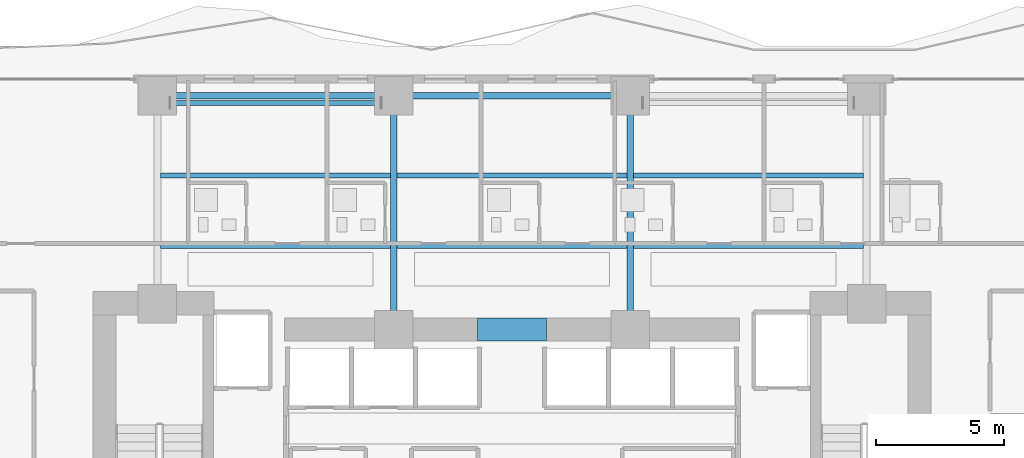
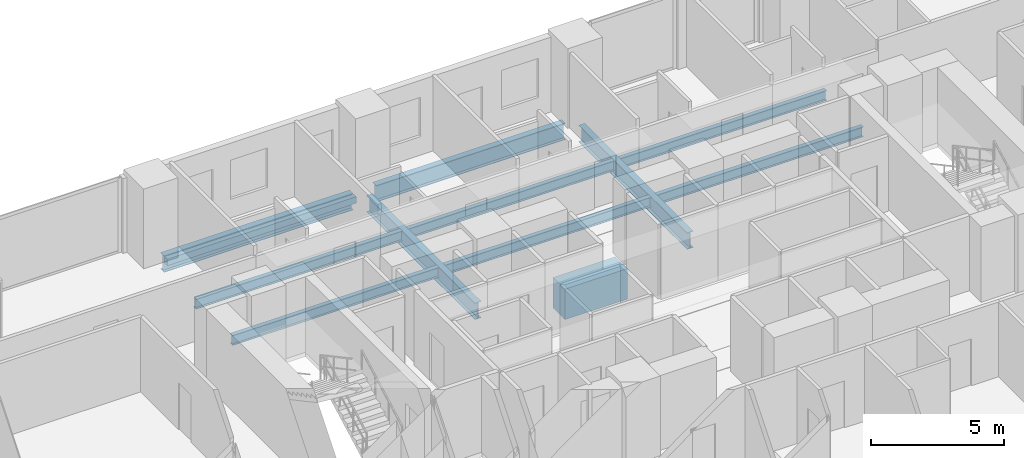
# One storey, part 14 of 30: 12 beams.
"""IFC4 building model written with IfcOpenShell, lengths in metres."""

from ifc_helpers import new_model, si_unit, direction, frame, origin, origin_2d, place, context, subcontext, project, spatial, rectangle, hollow_rectangle, i_section, extrude, material, material_profile, profile_set, type_object, element, save


model = new_model("IFC4")

# Units and contexts
model_context = context("Model", 3, precision=1e-05, world=origin(), true_north=direction((0.0, 1.0)))
body_context = subcontext(model_context, "Body", "Model", "MODEL_VIEW")
ifc_project = project(units=[si_unit("LENGTHUNIT", "METRE"), si_unit("AREAUNIT", "SQUARE_METRE"), si_unit("VOLUMEUNIT", "CUBIC_METRE"), si_unit("PLANEANGLEUNIT", "RADIAN"), si_unit("MASSUNIT", "GRAM", prefix="KILO")], contexts=[model_context])

# Site, building, storey
site_placement = place(None, origin())
site = spatial("IfcSite", under=ifc_project, at=site_placement, CompositionType="ELEMENT")
building_placement = place(site_placement, origin())
building = spatial("IfcBuilding", under=site, at=building_placement, Name="Zuhayl Quay Hotel", CompositionType="ELEMENT")
storey_placement = place(building_placement, frame((0.0, 0.0, 27.60009765625)))
storey = spatial("IfcBuildingStorey", under=building, at=storey_placement, Name="L05", CompositionType="ELEMENT", Elevation=27.60009765625)

# Beams
ifc_material_1 = material(Name="Steel ASTM A992 Grade 50", Category="steel")
ifc_material_profile_1 = material_profile(ifc_material_1, i_section(OverallWidth=0.26708984375, OverallDepth=0.761962890625, WebThickness=0.014404296875, FlangeThickness=0.021484375, at=origin_2d()), Name="W30X116")
ifc_profile_set_1 = profile_set([ifc_material_profile_1], Name="Steel ASTM A992 Grade 50")
beam_type_1 = type_object("IfcBeamType", Name="BM_B1_W30X116", PredefinedType="BEAM", material=ifc_profile_set_1)
beam_1_placement = place(storey_placement, frame((4.10009765625, 22.449951171875, -0.60107421875), z_axis=(-1.0, 0.0, 0.0), x_axis=(0.0, -1.0, 0.0)))
element("IfcBeam", 1, at=beam_1_placement, inside=storey, type_object=beam_type_1, Name="L05 Floor Beam RG_L05_08", PredefinedType="BEAM", context=body_context, shape_type="SweptSolid", body=[
    extrude(i_section(OverallWidth=0.26708984375, OverallDepth=0.761962890625, WebThickness=0.014404296875, FlangeThickness=0.021484375, at=origin_2d()), origin(), (0.0, 0.0, 1.0), 8.2001953125),
])
beam_2_placement = place(storey_placement, frame((-5.10009765625, 22.449951171875, -0.60107421875), z_axis=(-1.0, 0.0, 0.0), x_axis=(0.0, -1.0, 0.0)))
element("IfcBeam", 2, at=beam_2_placement, inside=storey, type_object=beam_type_1, Name="L05 Floor Beam RG_L05_09", PredefinedType="BEAM", context=body_context, shape_type="SweptSolid", body=[
    extrude(i_section(OverallWidth=0.26708984375, OverallDepth=0.761962890625, WebThickness=0.014404296875, FlangeThickness=0.021484375, at=origin_2d()), origin(), (0.0, 0.0, 1.0), 8.199951171875),
])
for number, where, z_axis, x_axis, name in (
    (3, (-4.60009765625, 13.800048828125, -0.60107421875), (0.0, 1.0, 0.0), (-1.0, 0.0, 0.0), "L05 Floor Beam FG_N_L05_2"),
    (4, (4.60009765625, 13.800048828125, -0.60107421875), (0.0, 1.0, 0.0), (-1.0, 0.0, 0.0), "L05 Floor Beam FG_N_L05_3"),
):
    element("IfcBeam", number, at=place(storey_placement, frame(where, z_axis=z_axis, x_axis=x_axis)), inside=storey, type_object=beam_type_1, Name=name, PredefinedType="BEAM", context=body_context, shape_type="SweptSolid", body=[
        extrude(i_section(OverallWidth=0.26708984375, OverallDepth=0.761962890625, WebThickness=0.014404296875, FlangeThickness=0.021484375, at=origin_2d()), origin(), (0.0, 0.0, 1.0), 8.14990234375),
    ])
ifc_material_2 = material(Name="Concrete C60/75", Category="concrete")
ifc_material_profile_2 = material_profile(ifc_material_2, rectangle(XDim=0.89990234375, YDim=1.39990234375, at=origin_2d()), Name="RC900X1400")
ifc_profile_set_2 = profile_set([ifc_material_profile_2], Name="Concrete C60/75")
beam_type_2 = type_object("IfcBeamType", Name="BM_CB1_RC900", PredefinedType="T_BEAM", material=ifc_profile_set_2)
beam_3_placement = place(storey_placement, frame((-1.35009765625, 13.35009765625, -0.920166015625), z_axis=(1.0, 0.0, 0.0), x_axis=(0.0, 1.0, 0.0)))
element("IfcBeam", 5, at=beam_3_placement, inside=storey, type_object=beam_type_2, Name="L05 Core Coupling Beam North", PredefinedType="T_BEAM", context=body_context, shape_type="SweptSolid", body=[
    extrude(rectangle(XDim=0.89990234375, YDim=1.39990234375, at=origin_2d()), origin(), (0.0, 0.0, 1.0), 2.7001953125),
])
ifc_material_profile_3 = material_profile(ifc_material_1, i_section(OverallWidth=0.18994140625, OverallDepth=0.45703125, WebThickness=0.009033203125, FlangeThickness=0.014404296875, at=origin_2d()), Name="W18X50")
ifc_profile_set_3 = profile_set([ifc_material_profile_3], Name="Steel ASTM A992 Grade 50")
beam_type_3 = type_object("IfcBeamType", Name="BM_J2_W18X50", PredefinedType="JOIST", material=ifc_profile_set_3)
beam_4_placement = place(storey_placement, frame((-13.674560546875, 16.60009765625, -0.448486328125), z_axis=(1.0, 0.0, 0.0), x_axis=(0.0, 1.0, 0.0)))
element("IfcBeam", 6, at=beam_4_placement, inside=storey, type_object=beam_type_3, Name="L05 Floor Beam FJ_L05_1_1", PredefinedType="JOIST", context=body_context, shape_type="SweptSolid", body=[
    extrude(i_section(OverallWidth=0.18994140625, OverallDepth=0.45703125, WebThickness=0.009033203125, FlangeThickness=0.014404296875, at=origin_2d()), origin(), (0.0, 0.0, 1.0), 8.948974609375),
])
beam_5_placement = place(storey_placement, frame((-4.474609375, 16.60009765625, -0.448486328125), z_axis=(1.0, 0.0, 0.0), x_axis=(0.0, 1.0, 0.0)))
element("IfcBeam", 7, at=beam_5_placement, inside=storey, type_object=beam_type_3, Name="L05 Floor Beam FJ_L05_1_2", PredefinedType="JOIST", context=body_context, shape_type="SweptSolid", body=[
    extrude(i_section(OverallWidth=0.18994140625, OverallDepth=0.45703125, WebThickness=0.009033203125, FlangeThickness=0.014404296875, at=origin_2d()), origin(), (0.0, 0.0, 1.0), 8.94921875),
])
for number, where, z_axis, x_axis, name in (
    (8, (4.7255859375, 16.60009765625, -0.448486328125), (1.0, 0.0, 0.0), (0.0, 1.0, 0.0), "L05 Floor Beam FJ_L05_1_3"),
    (9, (-13.674560546875, 19.35009765625, -0.448486328125), (1.0, 0.0, 0.0), (0.0, 1.0, 0.0), "L05 Floor Beam FJ_L05_2_1"),
):
    element("IfcBeam", number, at=place(storey_placement, frame(where, z_axis=z_axis, x_axis=x_axis)), inside=storey, type_object=beam_type_3, Name=name, PredefinedType="JOIST", context=body_context, shape_type="SweptSolid", body=[
        extrude(i_section(OverallWidth=0.18994140625, OverallDepth=0.45703125, WebThickness=0.009033203125, FlangeThickness=0.014404296875, at=origin_2d()), origin(), (0.0, 0.0, 1.0), 8.948974609375),
    ])
beam_6_placement = place(storey_placement, frame((-4.474609375, 19.35009765625, -0.448486328125), z_axis=(1.0, 0.0, 0.0), x_axis=(0.0, 1.0, 0.0)))
element("IfcBeam", 10, at=beam_6_placement, inside=storey, type_object=beam_type_3, Name="L05 Floor Beam FJ_L05_2_2", PredefinedType="JOIST", context=body_context, shape_type="SweptSolid", body=[
    extrude(i_section(OverallWidth=0.18994140625, OverallDepth=0.45703125, WebThickness=0.009033203125, FlangeThickness=0.014404296875, at=origin_2d()), origin(), (0.0, 0.0, 1.0), 8.94921875),
])
beam_7_placement = place(storey_placement, frame((4.7255859375, 19.35009765625, -0.448486328125), z_axis=(1.0, 0.0, 0.0), x_axis=(0.0, 1.0, 0.0)))
element("IfcBeam", 11, at=beam_7_placement, inside=storey, type_object=beam_type_3, Name="L05 Floor Beam FJ_L05_2_3", PredefinedType="JOIST", context=body_context, shape_type="SweptSolid", body=[
    extrude(i_section(OverallWidth=0.18994140625, OverallDepth=0.45703125, WebThickness=0.009033203125, FlangeThickness=0.014404296875, at=origin_2d()), origin(), (0.0, 0.0, 1.0), 8.948974609375),
])
ifc_material_3 = material(Name="Steel ASTM A500 Grade C", Category="steel")
ifc_material_profile_4 = material_profile(ifc_material_3, hollow_rectangle(XDim=0.199951171875, YDim=0.300048828125, WallThickness=0.012451171875, at=origin_2d()), Name="HSS300X200X12")
ifc_profile_set_4 = profile_set([ifc_material_profile_4], Name="Steel ASTM A500 Grade C")
beam_type_4 = type_object("IfcBeamType", Name="BM_SP1_HSS300", PredefinedType="SPANDREL", material=ifc_profile_set_4)
beam_8_placement = place(storey_placement, frame((-13.300048828125, 22.169921875, -0.3701171875), z_axis=(1.0, 0.0, 0.0), x_axis=(0.0, 1.0, 0.0)))
element("IfcBeam", 12, at=beam_8_placement, inside=storey, type_object=beam_type_4, Name="L05 Perimeter Spandrel Beam SP1-1", PredefinedType="SPANDREL", context=body_context, shape_type="SweptSolid", body=[
    extrude(hollow_rectangle(XDim=0.199951171875, YDim=0.300048828125, WallThickness=0.012451171875, at=origin_2d()), origin(), (0.0, 0.0, 1.0), 8.199951171875),
])

save(model, "model.ifc")
